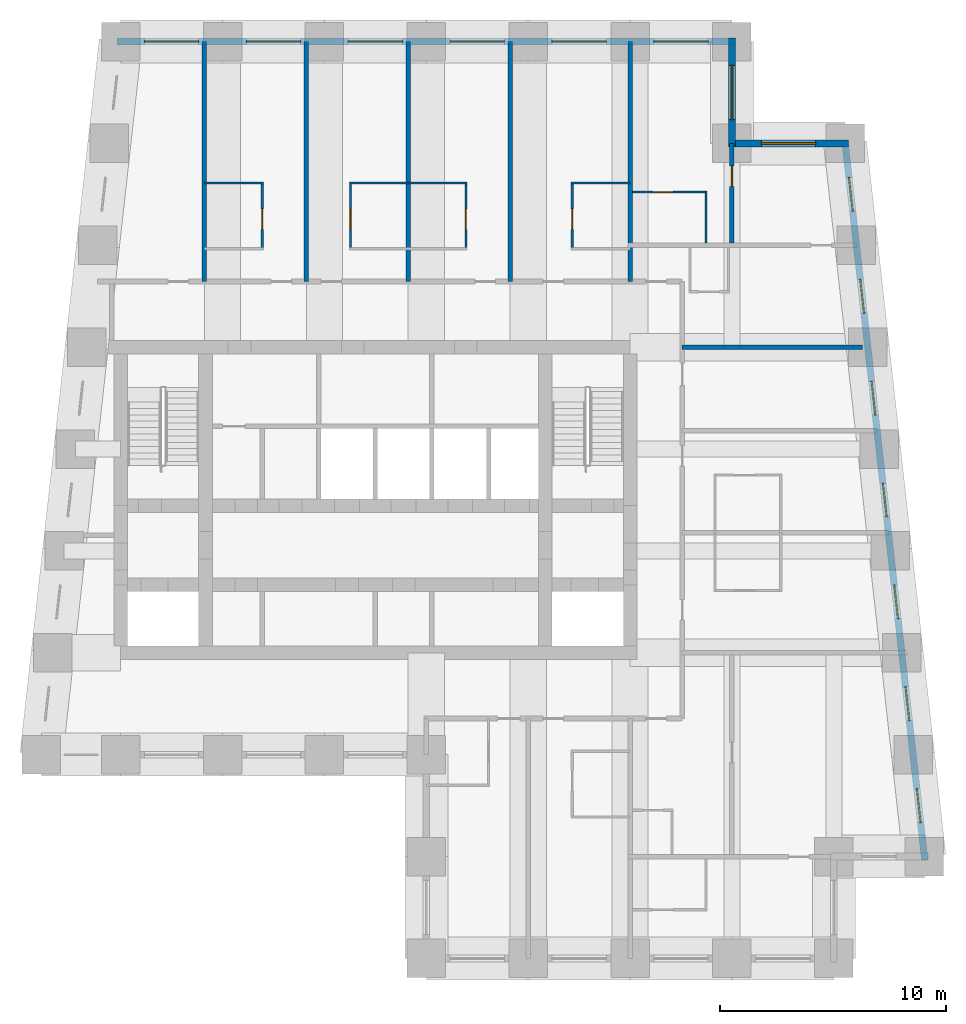
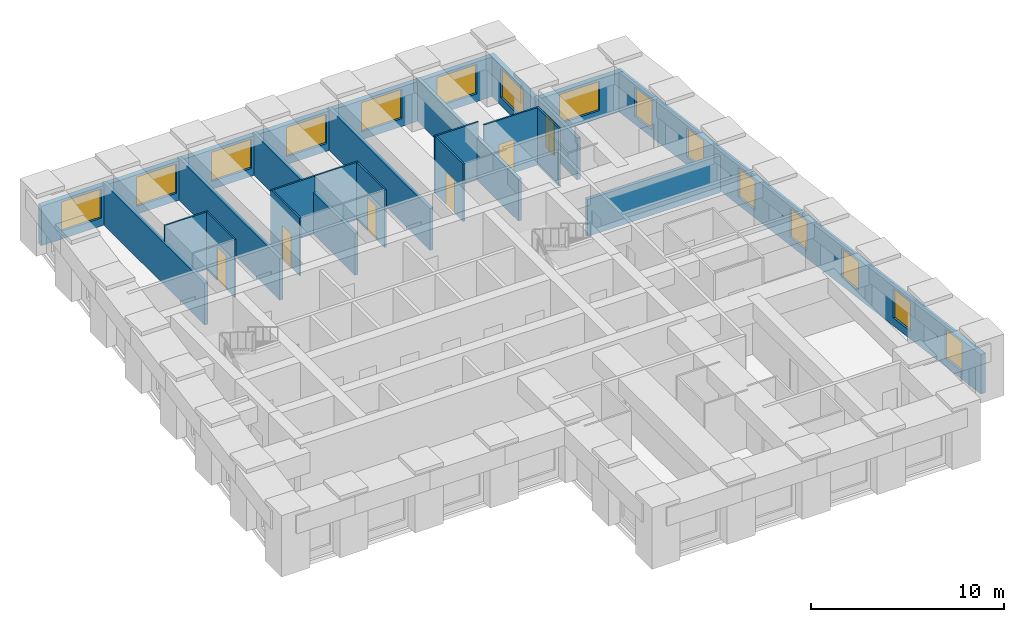
# One storey, part 5 of 7: 21 walls, 15 windows, 6 doors, 21 openings.
"""IFC4 building model written with IfcOpenShell, lengths in metres."""

from ifc_helpers import new_model, si_unit, direction, frame, frame_2d, origin, place, context, subcontext, project, spatial, rectangle, extrude, material, layer, layer_set, type_object, element, fill, save


model = new_model("IFC4")

# Units and contexts
model_context = context("Model", 3, precision=1e-05, world=origin(), true_north=direction((0.0, 1.0)))
body_context = subcontext(model_context, "Body", "Model", "MODEL_VIEW")
ifc_project = project(units=[si_unit("LENGTHUNIT", "METRE"), si_unit("AREAUNIT", "SQUARE_METRE"), si_unit("VOLUMEUNIT", "CUBIC_METRE"), si_unit("PLANEANGLEUNIT", "RADIAN"), si_unit("MASSUNIT", "GRAM", prefix="KILO")], contexts=[model_context])

# Site, building, storey
site_placement = place(None, origin())
site = spatial("IfcSite", under=ifc_project, at=site_placement, CompositionType="ELEMENT")
building_placement = place(site_placement, origin())
building = spatial("IfcBuilding", under=site, at=building_placement, Name="Kilele Tower Hotel", CompositionType="ELEMENT")
storey_placement = place(building_placement, frame((0.0, 0.0, 225.199951171875)))
storey = spatial("IfcBuildingStorey", under=building, at=storey_placement, Name="L58", CompositionType="ELEMENT", Elevation=225.199951171875)

# Wall
ifc_material_1 = material(Name="Moisture-resistant board")
ifc_layer_1 = layer(ifc_material_1, 0.10009765625)
ifc_layer_set_1 = layer_set([ifc_layer_1], Name="Moisture-resistant board")
wall_type_1 = type_object("IfcWallType", Name="Bathroom partition 100", PredefinedType="PLUMBINGWALL", material=ifc_layer_set_1)
wall_1_placement = place(storey_placement, frame((17.199951171875, 34.25, 0.0), z_axis=(0.0, 0.0, 1.0), x_axis=(1.0, 0.0, 0.0)))
element("IfcWall", 1, at=wall_1_placement, inside=storey, type_object=wall_type_1, Name="Bathroom partition 100 L58", PredefinedType="PLUMBINGWALL", context=body_context, shape_type="SweptSolid", body=[
    extrude(rectangle(XDim=2.60009765625, YDim=0.10009765625, at=frame_2d((1.300048828125, 0.0))), origin(), (0.0, 0.0, 1.0), 3.650146484375),
])

# Wall, opening, door
wall_2_placement = place(storey_placement, frame((19.75, 31.300048828125, 0.0), z_axis=(0.0, 0.0, 1.0), x_axis=(0.0, 1.0, 0.0)))
wall_2 = element("IfcWall", 2, at=wall_2_placement, inside=storey, type_object=wall_type_1, Name="Bathroom partition 100 L58", PredefinedType="PLUMBINGWALL", context=body_context, shape_type="SweptSolid", body=[
    extrude(rectangle(XDim=3.0, YDim=0.10009765625, at=frame_2d((1.5, 0.0))), origin(), (0.0, 0.0, 1.0), 3.650146484375),
])
opening_1_placement = place(wall_2_placement, frame((1.7998046875, 0.0, 0.0), z_axis=(0.0, 0.0, 1.0), x_axis=(-1.0, 0.0, 0.0)))
opening_1 = element("IfcOpeningElement", 3, at=opening_1_placement, cuts=wall_2, Name="Opening D2A", PredefinedType="OPENING", context=body_context, shape_type="SweptSolid", body=[
    extrude(rectangle(XDim=0.89990234375, YDim=2.10009765625, at=frame_2d((0.449951171875, 1.050048828125))), frame((0.0, 0.06005859375, 0.0), z_axis=(0.0, -1.0, 0.0), x_axis=(1.0, 0.0, 0.0)), (0.0, 0.0, 1.0), 0.1201171875),
])
ifc_material_2 = material(Name="Timber door leaf in hardwood frame", Category="wood")
door_type_1 = type_object("IfcDoorType", Name="Bathroom door 900", OperationType="SINGLE_SWING_LEFT", PredefinedType="DOOR", material=ifc_material_2)
door_1_placement = place(opening_1_placement, origin())
door_1 = element("IfcDoor", 4, at=door_1_placement, inside=storey, type_object=door_type_1, Name="Bathroom door 5808B", OperationType="SINGLE_SWING_RIGHT", OverallHeight=2.10009765625, OverallWidth=0.89990234375, PredefinedType="DOOR", context=body_context, shape_type="SweptSolid", body=[
    extrude(rectangle(XDim=0.89990234375, YDim=2.10009765625, at=frame_2d((0.449951171875, 1.050048828125))), frame((0.0, 0.02490234375, 0.0), z_axis=(0.0, -1.0, 0.0), x_axis=(1.0, 0.0, 0.0)), (0.0, 0.0, 1.0), 0.050048828125),
])
fill(opening_1, door_1)

# Wall
wall_3_placement = place(storey_placement, frame((23.60009765625, 34.25, 0.0), z_axis=(0.0, 0.0, 1.0), x_axis=(1.0, 0.0, 0.0)))
element("IfcWall", 5, at=wall_3_placement, inside=storey, type_object=wall_type_1, Name="Bathroom partition 100 L58", PredefinedType="PLUMBINGWALL", context=body_context, shape_type="SweptSolid", body=[
    extrude(rectangle(XDim=2.599853515625, YDim=0.10009765625, at=frame_2d((1.2998046875, 0.0))), origin(), (0.0, 0.0, 1.0), 3.650146484375),
])

# Wall, opening, door
wall_4_placement = place(storey_placement, frame((23.64990234375, 31.300048828125, 0.0), z_axis=(0.0, 0.0, 1.0), x_axis=(0.0, 1.0, 0.0)))
wall_4 = element("IfcWall", 6, at=wall_4_placement, inside=storey, type_object=wall_type_1, Name="Bathroom partition 100 L58", PredefinedType="PLUMBINGWALL", context=body_context, shape_type="SweptSolid", body=[
    extrude(rectangle(XDim=3.0, YDim=0.10009765625, at=frame_2d((1.5, 0.0))), origin(), (0.0, 0.0, 1.0), 3.650146484375),
])
opening_2_placement = place(wall_4_placement, frame((0.89990234375, 0.0, 0.0)))
opening_2 = element("IfcOpeningElement", 7, at=opening_2_placement, cuts=wall_4, Name="Opening D2A", PredefinedType="OPENING", context=body_context, shape_type="SweptSolid", body=[
    extrude(rectangle(XDim=0.89990234375, YDim=2.10009765625, at=frame_2d((0.449951171875, 1.050048828125))), frame((0.0, 0.06005859375, 0.0), z_axis=(0.0, -1.0, 0.0), x_axis=(1.0, 0.0, 0.0)), (0.0, 0.0, 1.0), 0.1201171875),
])
door_2_placement = place(opening_2_placement, origin())
door_2 = element("IfcDoor", 8, at=door_2_placement, inside=storey, type_object=door_type_1, Name="Bathroom door 5809B", OperationType="SINGLE_SWING_LEFT", OverallHeight=2.10009765625, OverallWidth=0.89990234375, PredefinedType="DOOR", context=body_context, shape_type="SweptSolid", body=[
    extrude(rectangle(XDim=0.89990234375, YDim=2.10009765625, at=frame_2d((0.449951171875, 1.050048828125))), frame((0.0, 0.02490234375, 0.0), z_axis=(0.0, -1.0, 0.0), x_axis=(1.0, 0.0, 0.0)), (0.0, 0.0, 1.0), 0.050048828125),
])
fill(opening_2, door_2)

# Wall
wall_5_placement = place(storey_placement, frame((26.199951171875, 34.25, 0.0), z_axis=(0.0, 0.0, 1.0), x_axis=(1.0, 0.0, 0.0)))
element("IfcWall", 9, at=wall_5_placement, inside=storey, type_object=wall_type_1, Name="Bathroom partition 100 L58", PredefinedType="PLUMBINGWALL", context=body_context, shape_type="SweptSolid", body=[
    extrude(rectangle(XDim=2.60009765625, YDim=0.10009765625, at=frame_2d((1.300048828125, 0.0))), origin(), (0.0, 0.0, 1.0), 3.650146484375),
])

# Wall, opening, door
wall_6_placement = place(storey_placement, frame((28.75, 31.300048828125, 0.0), z_axis=(0.0, 0.0, 1.0), x_axis=(0.0, 1.0, 0.0)))
wall_6 = element("IfcWall", 10, at=wall_6_placement, inside=storey, type_object=wall_type_1, Name="Bathroom partition 100 L58", PredefinedType="PLUMBINGWALL", context=body_context, shape_type="SweptSolid", body=[
    extrude(rectangle(XDim=3.0, YDim=0.10009765625, at=frame_2d((1.5, 0.0))), origin(), (0.0, 0.0, 1.0), 3.650146484375),
])
opening_3_placement = place(wall_6_placement, frame((1.7998046875, 0.0, 0.0), z_axis=(0.0, 0.0, 1.0), x_axis=(-1.0, 0.0, 0.0)))
opening_3 = element("IfcOpeningElement", 11, at=opening_3_placement, cuts=wall_6, Name="Opening D2A", PredefinedType="OPENING", context=body_context, shape_type="SweptSolid", body=[
    extrude(rectangle(XDim=0.89990234375, YDim=2.10009765625, at=frame_2d((0.449951171875, 1.050048828125))), frame((0.0, 0.06005859375, 0.0), z_axis=(0.0, -1.0, 0.0), x_axis=(1.0, 0.0, 0.0)), (0.0, 0.0, 1.0), 0.1201171875),
])
door_3_placement = place(opening_3_placement, origin())
door_3 = element("IfcDoor", 12, at=door_3_placement, inside=storey, type_object=door_type_1, Name="Bathroom door 5810B", OperationType="SINGLE_SWING_RIGHT", OverallHeight=2.10009765625, OverallWidth=0.89990234375, PredefinedType="DOOR", context=body_context, shape_type="SweptSolid", body=[
    extrude(rectangle(XDim=0.89990234375, YDim=2.10009765625, at=frame_2d((0.449951171875, 1.050048828125))), frame((0.0, 0.02490234375, 0.0), z_axis=(0.0, -1.0, 0.0), x_axis=(1.0, 0.0, 0.0)), (0.0, 0.0, 1.0), 0.050048828125),
])
fill(opening_3, door_3)

# Wall
wall_7_placement = place(storey_placement, frame((33.39990234375, 34.25, 0.0), z_axis=(0.0, 0.0, 1.0), x_axis=(1.0, 0.0, 0.0)))
element("IfcWall", 13, at=wall_7_placement, inside=storey, type_object=wall_type_1, Name="Bathroom partition 100 L58", PredefinedType="PLUMBINGWALL", context=body_context, shape_type="SweptSolid", body=[
    extrude(rectangle(XDim=2.60009765625, YDim=0.10009765625, at=frame_2d((1.300048828125, 0.0))), origin(), (0.0, 0.0, 1.0), 3.650146484375),
])

# Wall, opening, door
wall_8_placement = place(storey_placement, frame((33.449951171875, 31.300048828125, 0.0), z_axis=(0.0, 0.0, 1.0), x_axis=(0.0, 1.0, 0.0)))
wall_8 = element("IfcWall", 14, at=wall_8_placement, inside=storey, type_object=wall_type_1, Name="Bathroom partition 100 L58", PredefinedType="PLUMBINGWALL", context=body_context, shape_type="SweptSolid", body=[
    extrude(rectangle(XDim=3.0, YDim=0.10009765625, at=frame_2d((1.5, 0.0))), origin(), (0.0, 0.0, 1.0), 3.650146484375),
])
opening_4_placement = place(wall_8_placement, frame((0.89990234375, 0.0, 0.0)))
opening_4 = element("IfcOpeningElement", 15, at=opening_4_placement, cuts=wall_8, Name="Opening D2A", PredefinedType="OPENING", context=body_context, shape_type="SweptSolid", body=[
    extrude(rectangle(XDim=0.89990234375, YDim=2.10009765625, at=frame_2d((0.449951171875, 1.050048828125))), frame((0.0, 0.06005859375, 0.0), z_axis=(0.0, -1.0, 0.0), x_axis=(1.0, 0.0, 0.0)), (0.0, 0.0, 1.0), 0.1201171875),
])
door_4_placement = place(opening_4_placement, origin())
door_4 = element("IfcDoor", 16, at=door_4_placement, inside=storey, type_object=door_type_1, Name="Bathroom door 5811B", OperationType="SINGLE_SWING_LEFT", OverallHeight=2.10009765625, OverallWidth=0.89990234375, PredefinedType="DOOR", context=body_context, shape_type="SweptSolid", body=[
    extrude(rectangle(XDim=0.89990234375, YDim=2.10009765625, at=frame_2d((0.449951171875, 1.050048828125))), frame((0.0, 0.02490234375, 0.0), z_axis=(0.0, -1.0, 0.0), x_axis=(1.0, 0.0, 0.0)), (0.0, 0.0, 1.0), 0.050048828125),
])
fill(opening_4, door_4)

# Wall
wall_9_placement = place(storey_placement, frame((39.35009765625, 31.60009765625, 0.0), z_axis=(0.0, 0.0, 1.0), x_axis=(0.0, 1.0, 0.0)))
element("IfcWall", 17, at=wall_9_placement, inside=storey, type_object=wall_type_1, Name="Bathroom partition 100 L58", PredefinedType="PLUMBINGWALL", context=body_context, shape_type="SweptSolid", body=[
    extrude(rectangle(XDim=2.2998046875, YDim=0.10009765625, at=frame_2d((1.14990234375, 0.0))), origin(), (0.0, 0.0, 1.0), 3.650146484375),
])

# Wall, opening, door
wall_10_placement = place(storey_placement, frame((36.10009765625, 33.85009765625, 0.0), z_axis=(0.0, 0.0, 1.0), x_axis=(1.0, 0.0, 0.0)))
wall_10 = element("IfcWall", 18, at=wall_10_placement, inside=storey, type_object=wall_type_1, Name="Bathroom partition 100 L58", PredefinedType="PLUMBINGWALL", context=body_context, shape_type="SweptSolid", body=[
    extrude(rectangle(XDim=3.2998046875, YDim=0.10009765625, at=frame_2d((1.64990234375, 0.0))), origin(), (0.0, 0.0, 1.0), 3.650146484375),
])
opening_5_placement = place(wall_10_placement, frame((0.89990234375, 0.0, 0.0)))
opening_5 = element("IfcOpeningElement", 19, at=opening_5_placement, cuts=wall_10, Name="Opening D2A", PredefinedType="OPENING", context=body_context, shape_type="SweptSolid", body=[
    extrude(rectangle(XDim=0.89990234375, YDim=2.10009765625, at=frame_2d((0.449951171875, 1.050048828125))), frame((0.0, 0.06005859375, 0.0), z_axis=(0.0, -1.0, 0.0), x_axis=(1.0, 0.0, 0.0)), (0.0, 0.0, 1.0), 0.1201171875),
])
door_5_placement = place(opening_5_placement, origin())
door_5 = element("IfcDoor", 20, at=door_5_placement, inside=storey, type_object=door_type_1, Name="Bathroom door 5816B", OperationType="SINGLE_SWING_LEFT", OverallHeight=2.10009765625, OverallWidth=0.89990234375, PredefinedType="DOOR", context=body_context, shape_type="SweptSolid", body=[
    extrude(rectangle(XDim=0.89990234375, YDim=2.10009765625, at=frame_2d((0.449951171875, 1.050048828125))), frame((0.0, 0.02490234375, 0.0), z_axis=(0.0, -1.0, 0.0), x_axis=(1.0, 0.0, 0.0)), (0.0, 0.0, 1.0), 0.050048828125),
])
fill(opening_5, door_5)

ifc_material_3 = material(Name="Blockwork, plastered both sides", Category="masonry")
ifc_layer_2 = layer(ifc_material_3, 0.199951171875)
ifc_layer_set_2 = layer_set([ifc_layer_2], Name="Blockwork, plastered both sides")
wall_type_2 = type_object("IfcWallType", Name="Partition wall 200", PredefinedType="PARTITIONING", material=ifc_layer_set_2)
wall_11_placement = place(storey_placement, frame((40.5, 31.60009765625, 0.0), z_axis=(0.0, 0.0, 1.0), x_axis=(0.0, 1.0, 0.0)))
wall_11 = element("IfcWall", 21, at=wall_11_placement, inside=storey, type_object=wall_type_2, Name="Partition wall 200 L58", PredefinedType="PARTITIONING", context=body_context, shape_type="SweptSolid", body=[
    extrude(rectangle(XDim=4.39990234375, YDim=0.199951171875, at=frame_2d((2.199951171875, 0.0))), origin(), (0.0, 0.0, 1.0), 2.650146484375),
])
opening_6_placement = place(wall_11_placement, frame((2.5, 0.0, 0.0)))
opening_6 = element("IfcOpeningElement", 22, at=opening_6_placement, cuts=wall_11, Name="Opening D3", PredefinedType="OPENING", context=body_context, shape_type="SweptSolid", body=[
    extrude(rectangle(XDim=0.89990234375, YDim=2.10009765625, at=frame_2d((0.449951171875, 1.050048828125))), frame((0.0, 0.10986328125, 0.0), z_axis=(0.0, -1.0, 0.0), x_axis=(1.0, 0.0, 0.0)), (0.0, 0.0, 1.0), 0.219970703125),
])
ifc_material_4 = material(Name="Timber door leaf in hardwood frame", Category="wood")
door_type_2 = type_object("IfcDoorType", Name="Suite internal door 900", OperationType="SINGLE_SWING_LEFT", PredefinedType="DOOR", material=ifc_material_4)
door_6_placement = place(opening_6_placement, origin())
door_6 = element("IfcDoor", 23, at=door_6_placement, inside=storey, type_object=door_type_2, Name="Suite door 5817", OperationType="SINGLE_SWING_RIGHT", OverallHeight=2.10009765625, OverallWidth=0.89990234375, PredefinedType="DOOR", context=body_context, shape_type="SweptSolid", body=[
    extrude(rectangle(XDim=0.89990234375, YDim=2.10009765625, at=frame_2d((0.449951171875, 1.050048828125))), frame((0.0, 0.02490234375, 0.0), z_axis=(0.0, -1.0, 0.0), x_axis=(1.0, 0.0, 0.0)), (0.0, 0.0, 1.0), 0.050048828125),
])
fill(opening_6, door_6)

# Walls
ifc_material_5 = material(Name="Blockwork, plastered both sides", Category="masonry")
ifc_layer_3 = layer(ifc_material_5, 0.199951171875)
ifc_layer_set_3 = layer_set([ifc_layer_3], Name="Blockwork, plastered both sides")
wall_type_3 = type_object("IfcWallType", Name="Party wall 200", PredefinedType="PARTITIONING", material=ifc_layer_set_3)
for number, where, z_axis, x_axis, name in (
    (24, (17.199951171875, 29.89990234375, 0.0), (0.0, 0.0, 1.0), (0.0, 1.0, 0.0), "Party wall 200 L58"),
    (25, (21.699951171875, 29.89990234375, 0.0), (0.0, 0.0, 1.0), (0.0, 1.0, 0.0), "Party wall 200 L58"),
    (26, (26.199951171875, 29.89990234375, 0.0), (0.0, 0.0, 1.0), (0.0, 1.0, 0.0), "Party wall 200 L58"),
    (27, (30.699951171875, 29.89990234375, 0.0), (0.0, 0.0, 1.0), (0.0, 1.0, 0.0), "Party wall 200 L58"),
):
    element("IfcWall", number, at=place(storey_placement, frame(where, z_axis=z_axis, x_axis=x_axis)), inside=storey, type_object=wall_type_3, Name=name, PredefinedType="PARTITIONING", context=body_context, shape_type="SweptSolid", body=[
        extrude(rectangle(XDim=10.60009765625, YDim=0.199951171875, at=frame_2d((5.300048828125, 0.0))), origin(), (0.0, 0.0, 1.0), 2.650146484375),
    ])
wall_12_placement = place(storey_placement, frame((38.300048828125, 27.0, 0.0), z_axis=(0.0, 0.0, 1.0), x_axis=(1.0, 0.0, 0.0)))
element("IfcWall", 28, at=wall_12_placement, inside=storey, type_object=wall_type_3, Name="Party wall 200 L58", PredefinedType="PARTITIONING", context=body_context, shape_type="SweptSolid", body=[
    extrude(rectangle(XDim=7.976806640625, YDim=0.199951171875, at=frame_2d((3.98828125, 0.0))), origin(), (0.0, 0.0, 1.0), 2.35009765625),
])
wall_13_placement = place(storey_placement, frame((36.0, 29.89990234375, 0.0), z_axis=(0.0, 0.0, 1.0), x_axis=(0.0, 1.0, 0.0)))
element("IfcWall", 29, at=wall_13_placement, inside=storey, type_object=wall_type_3, Name="Party wall 200 L58", PredefinedType="PARTITIONING", context=body_context, shape_type="SweptSolid", body=[
    extrude(rectangle(XDim=10.60009765625, YDim=0.199951171875, at=frame_2d((5.300048828125, 0.0))), origin(), (0.0, 0.0, 1.0), 2.650146484375),
])

# Wall, openings, windows
ifc_material_6 = material(Name="Concrete C40/50 precast", Category="concrete")
ifc_layer_4 = layer(ifc_material_6, 0.260009765625, Name="Precast backing", Category="LoadBearing")
ifc_material_7 = material(Name="Reconstituted stone finish", Category="masonry")
ifc_layer_5 = layer(ifc_material_7, 0.0400390625, Name="Face mix", Category="Finish")
ifc_layer_set_4 = layer_set([ifc_layer_4, ifc_layer_5], Name="Precast concrete C40/50, reconstituted stone finish")
wall_type_4 = type_object("IfcWallType", Name="Precast stone facade wall 300", PredefinedType="STANDARD", material=ifc_layer_set_4)
wall_14_placement = place(storey_placement, frame((49.0166015625, 4.350830078125, 0.0), z_axis=(0.0, 0.0, 1.0), x_axis=(-0.110433201132, 0.993883548555, 0.0)))
wall_14 = element("IfcWall", 30, at=wall_14_placement, inside=storey, type_object=wall_type_4, Name="Facade wall L58 edge 6", PredefinedType="STANDARD", context=body_context, shape_type="SweptSolid", body=[
    extrude(rectangle(XDim=31.994140625, YDim=0.300048828125, at=frame_2d((15.9970703125, 0.0))), origin(), (0.0, 0.0, 1.0), 2.5),
])
opening_7_placement = place(wall_14_placement, frame((1.6640625, 0.0, 0.5)))
opening_7 = element("IfcOpeningElement", 31, at=opening_7_placement, cuts=wall_14, Name="Opening W4", PredefinedType="OPENING", context=body_context, shape_type="SweptSolid", body=[
    extrude(rectangle(XDim=1.5, YDim=1.85009765625, at=frame_2d((0.75, 0.925048828125))), frame((0.0, 0.159912109375, 0.0), z_axis=(0.0, -1.0, 0.0), x_axis=(1.0, 0.0, 0.0)), (0.0, 0.0, 1.0), 0.320068359375),
])
opening_8_placement = place(wall_14_placement, frame((6.19189453125, 0.0, 0.5)))
opening_8 = element("IfcOpeningElement", 32, at=opening_8_placement, cuts=wall_14, Name="Opening W4", PredefinedType="OPENING", context=body_context, shape_type="SweptSolid", body=[
    extrude(rectangle(XDim=1.5, YDim=1.85009765625, at=frame_2d((0.75, 0.925048828125))), frame((0.0, 0.159912109375, 0.0), z_axis=(0.0, -1.0, 0.0), x_axis=(1.0, 0.0, 0.0)), (0.0, 0.0, 1.0), 0.320068359375),
])
opening_9_placement = place(wall_14_placement, frame((10.718994140625, 0.0, 0.5)))
opening_9 = element("IfcOpeningElement", 33, at=opening_9_placement, cuts=wall_14, Name="Opening W4", PredefinedType="OPENING", context=body_context, shape_type="SweptSolid", body=[
    extrude(rectangle(XDim=1.5, YDim=1.85009765625, at=frame_2d((0.75, 0.925048828125))), frame((0.0, 0.159912109375, 0.0), z_axis=(0.0, -1.0, 0.0), x_axis=(1.0, 0.0, 0.0)), (0.0, 0.0, 1.0), 0.320068359375),
])
opening_10_placement = place(wall_14_placement, frame((15.2470703125, 0.0, 0.5)))
opening_10 = element("IfcOpeningElement", 34, at=opening_10_placement, cuts=wall_14, Name="Opening W4", PredefinedType="OPENING", context=body_context, shape_type="SweptSolid", body=[
    extrude(rectangle(XDim=1.5, YDim=1.85009765625, at=frame_2d((0.75, 0.925048828125))), frame((0.0, 0.159912109375, 0.0), z_axis=(0.0, -1.0, 0.0), x_axis=(1.0, 0.0, 0.0)), (0.0, 0.0, 1.0), 0.320068359375),
])
opening_11_placement = place(wall_14_placement, frame((19.77490234375, 0.0, 0.5)))
opening_11 = element("IfcOpeningElement", 35, at=opening_11_placement, cuts=wall_14, Name="Opening W4", PredefinedType="OPENING", context=body_context, shape_type="SweptSolid", body=[
    extrude(rectangle(XDim=1.5, YDim=1.85009765625, at=frame_2d((0.75, 0.925048828125))), frame((0.0, 0.159912109375, 0.0), z_axis=(0.0, -1.0, 0.0), x_axis=(1.0, 0.0, 0.0)), (0.0, 0.0, 1.0), 0.320068359375),
])
opening_12_placement = place(wall_14_placement, frame((24.302001953125, 0.0, 0.5)))
opening_12 = element("IfcOpeningElement", 36, at=opening_12_placement, cuts=wall_14, Name="Opening W4", PredefinedType="OPENING", context=body_context, shape_type="SweptSolid", body=[
    extrude(rectangle(XDim=1.5, YDim=1.85009765625, at=frame_2d((0.75, 0.925048828125))), frame((0.0, 0.159912109375, 0.0), z_axis=(0.0, -1.0, 0.0), x_axis=(1.0, 0.0, 0.0)), (0.0, 0.0, 1.0), 0.320068359375),
])
opening_13_placement = place(wall_14_placement, frame((28.830078125, 0.0, 0.5)))
opening_13 = element("IfcOpeningElement", 37, at=opening_13_placement, cuts=wall_14, Name="Opening W4", PredefinedType="OPENING", context=body_context, shape_type="SweptSolid", body=[
    extrude(rectangle(XDim=1.5, YDim=1.85009765625, at=frame_2d((0.75, 0.925048828125))), frame((0.0, 0.159912109375, 0.0), z_axis=(0.0, -1.0, 0.0), x_axis=(1.0, 0.0, 0.0)), (0.0, 0.0, 1.0), 0.320068359375),
])
ifc_material_8 = material(Name="Aluminium frame, clear double glazing", Category="aluminium")
window_type_1 = type_object("IfcWindowType", Name="Window W4 1500 x 1850", PartitioningType="SINGLE_PANEL", PredefinedType="WINDOW", material=ifc_material_8)
window_1_placement = place(opening_7_placement, origin())
window_1 = element("IfcWindow", 38, at=window_1_placement, inside=storey, type_object=window_type_1, Name="Window L58", OverallHeight=1.85009765625, OverallWidth=1.5, PartitioningType="SINGLE_PANEL", PredefinedType="WINDOW", context=body_context, shape_type="SweptSolid", body=[
    extrude(rectangle(XDim=1.5, YDim=1.85009765625, at=frame_2d((0.75, 0.925048828125))), frame((0.0, 0.030029296875, 0.0), z_axis=(0.0, -1.0, 0.0), x_axis=(1.0, 0.0, 0.0)), (0.0, 0.0, 1.0), 0.06005859375),
])
fill(opening_7, window_1)
window_2_placement = place(opening_8_placement, origin())
window_2 = element("IfcWindow", 39, at=window_2_placement, inside=storey, type_object=window_type_1, Name="Window L58", OverallHeight=1.85009765625, OverallWidth=1.5, PartitioningType="SINGLE_PANEL", PredefinedType="WINDOW", context=body_context, shape_type="SweptSolid", body=[
    extrude(rectangle(XDim=1.5, YDim=1.85009765625, at=frame_2d((0.75, 0.925048828125))), frame((0.0, 0.030029296875, 0.0), z_axis=(0.0, -1.0, 0.0), x_axis=(1.0, 0.0, 0.0)), (0.0, 0.0, 1.0), 0.06005859375),
])
fill(opening_8, window_2)
window_3_placement = place(opening_9_placement, origin())
window_3 = element("IfcWindow", 40, at=window_3_placement, inside=storey, type_object=window_type_1, Name="Window L58", OverallHeight=1.85009765625, OverallWidth=1.5, PartitioningType="SINGLE_PANEL", PredefinedType="WINDOW", context=body_context, shape_type="SweptSolid", body=[
    extrude(rectangle(XDim=1.5, YDim=1.85009765625, at=frame_2d((0.75, 0.925048828125))), frame((0.0, 0.030029296875, 0.0), z_axis=(0.0, -1.0, 0.0), x_axis=(1.0, 0.0, 0.0)), (0.0, 0.0, 1.0), 0.06005859375),
])
fill(opening_9, window_3)
window_4_placement = place(opening_10_placement, origin())
window_4 = element("IfcWindow", 41, at=window_4_placement, inside=storey, type_object=window_type_1, Name="Window L58", OverallHeight=1.85009765625, OverallWidth=1.5, PartitioningType="SINGLE_PANEL", PredefinedType="WINDOW", context=body_context, shape_type="SweptSolid", body=[
    extrude(rectangle(XDim=1.5, YDim=1.85009765625, at=frame_2d((0.75, 0.925048828125))), frame((0.0, 0.030029296875, 0.0), z_axis=(0.0, -1.0, 0.0), x_axis=(1.0, 0.0, 0.0)), (0.0, 0.0, 1.0), 0.06005859375),
])
fill(opening_10, window_4)
window_5_placement = place(opening_11_placement, origin())
window_5 = element("IfcWindow", 42, at=window_5_placement, inside=storey, type_object=window_type_1, Name="Window L58", OverallHeight=1.85009765625, OverallWidth=1.5, PartitioningType="SINGLE_PANEL", PredefinedType="WINDOW", context=body_context, shape_type="SweptSolid", body=[
    extrude(rectangle(XDim=1.5, YDim=1.85009765625, at=frame_2d((0.75, 0.925048828125))), frame((0.0, 0.030029296875, 0.0), z_axis=(0.0, -1.0, 0.0), x_axis=(1.0, 0.0, 0.0)), (0.0, 0.0, 1.0), 0.06005859375),
])
fill(opening_11, window_5)
window_6_placement = place(opening_12_placement, origin())
window_6 = element("IfcWindow", 43, at=window_6_placement, inside=storey, type_object=window_type_1, Name="Window L58", OverallHeight=1.85009765625, OverallWidth=1.5, PartitioningType="SINGLE_PANEL", PredefinedType="WINDOW", context=body_context, shape_type="SweptSolid", body=[
    extrude(rectangle(XDim=1.5, YDim=1.85009765625, at=frame_2d((0.75, 0.925048828125))), frame((0.0, 0.030029296875, 0.0), z_axis=(0.0, -1.0, 0.0), x_axis=(1.0, 0.0, 0.0)), (0.0, 0.0, 1.0), 0.06005859375),
])
fill(opening_12, window_6)
window_7_placement = place(opening_13_placement, origin())
window_7 = element("IfcWindow", 44, at=window_7_placement, inside=storey, type_object=window_type_1, Name="Window L58", OverallHeight=1.85009765625, OverallWidth=1.5, PartitioningType="SINGLE_PANEL", PredefinedType="WINDOW", context=body_context, shape_type="SweptSolid", body=[
    extrude(rectangle(XDim=1.5, YDim=1.85009765625, at=frame_2d((0.75, 0.925048828125))), frame((0.0, 0.030029296875, 0.0), z_axis=(0.0, -1.0, 0.0), x_axis=(1.0, 0.0, 0.0)), (0.0, 0.0, 1.0), 0.06005859375),
])
fill(opening_13, window_7)

# Wall, opening, window
wall_15_placement = place(storey_placement, frame((45.64990234375, 36.0, 0.0), z_axis=(0.0, 0.0, 1.0), x_axis=(-1.0, 0.0, 0.0)))
wall_15 = element("IfcWall", 45, at=wall_15_placement, inside=storey, type_object=wall_type_4, Name="Facade wall L58 edge 7", PredefinedType="STANDARD", context=body_context, shape_type="SweptSolid", body=[
    extrude(rectangle(XDim=5.2998046875, YDim=0.300048828125, at=frame_2d((2.64990234375, 0.0))), origin(), (0.0, 0.0, 1.0), 2.5),
])
opening_14_placement = place(wall_15_placement, frame((1.449951171875, 0.0, 0.5)))
opening_14 = element("IfcOpeningElement", 46, at=opening_14_placement, cuts=wall_15, Name="Opening W4", PredefinedType="OPENING", context=body_context, shape_type="SweptSolid", body=[
    extrude(rectangle(XDim=2.39990234375, YDim=1.85009765625, at=frame_2d((1.199951171875, 0.925048828125))), frame((0.0, 0.159912109375, 0.0), z_axis=(0.0, -1.0, 0.0), x_axis=(1.0, 0.0, 0.0)), (0.0, 0.0, 1.0), 0.320068359375),
])
ifc_material_9 = material(Name="Aluminium frame, clear double glazing", Category="aluminium")
window_type_2 = type_object("IfcWindowType", Name="Window W4 2400 x 1850", PartitioningType="SINGLE_PANEL", PredefinedType="WINDOW", material=ifc_material_9)
window_8_placement = place(opening_14_placement, origin())
window_8 = element("IfcWindow", 47, at=window_8_placement, inside=storey, type_object=window_type_2, Name="Window L58", OverallHeight=1.85009765625, OverallWidth=2.39990234375, PartitioningType="SINGLE_PANEL", PredefinedType="WINDOW", context=body_context, shape_type="SweptSolid", body=[
    extrude(rectangle(XDim=2.39990234375, YDim=1.85009765625, at=frame_2d((1.199951171875, 0.925048828125))), frame((0.0, 0.030029296875, 0.0), z_axis=(0.0, -1.0, 0.0), x_axis=(1.0, 0.0, 0.0)), (0.0, 0.0, 1.0), 0.06005859375),
])
fill(opening_14, window_8)

wall_16_placement = place(storey_placement, frame((40.5, 35.85009765625, 0.0), z_axis=(0.0, 0.0, 1.0), x_axis=(0.0, 1.0, 0.0)))
wall_16 = element("IfcWall", 48, at=wall_16_placement, inside=storey, type_object=wall_type_4, Name="Facade wall L58 edge 8", PredefinedType="STANDARD", context=body_context, shape_type="SweptSolid", body=[
    extrude(rectangle(XDim=4.7998046875, YDim=0.300048828125, at=frame_2d((2.39990234375, 0.0))), origin(), (0.0, 0.0, 1.0), 2.5),
])
opening_15_placement = place(wall_16_placement, frame((1.199951171875, 0.0, 0.5)))
opening_15 = element("IfcOpeningElement", 49, at=opening_15_placement, cuts=wall_16, Name="Opening W4", PredefinedType="OPENING", context=body_context, shape_type="SweptSolid", body=[
    extrude(rectangle(XDim=2.39990234375, YDim=1.85009765625, at=frame_2d((1.199951171875, 0.925048828125))), frame((0.0, 0.159912109375, 0.0), z_axis=(0.0, -1.0, 0.0), x_axis=(1.0, 0.0, 0.0)), (0.0, 0.0, 1.0), 0.320068359375),
])
window_9_placement = place(opening_15_placement, origin())
window_9 = element("IfcWindow", 50, at=window_9_placement, inside=storey, type_object=window_type_2, Name="Window L58", OverallHeight=1.85009765625, OverallWidth=2.39990234375, PartitioningType="SINGLE_PANEL", PredefinedType="WINDOW", context=body_context, shape_type="SweptSolid", body=[
    extrude(rectangle(XDim=2.39990234375, YDim=1.85009765625, at=frame_2d((1.199951171875, 0.925048828125))), frame((0.0, 0.030029296875, 0.0), z_axis=(0.0, -1.0, 0.0), x_axis=(1.0, 0.0, 0.0)), (0.0, 0.0, 1.0), 0.06005859375),
])
fill(opening_15, window_9)

# Wall, openings, windows
wall_17_placement = place(storey_placement, frame((40.64990234375, 40.5, 0.0), z_axis=(0.0, 0.0, 1.0), x_axis=(-1.0, 0.0, 0.0)))
wall_17 = element("IfcWall", 51, at=wall_17_placement, inside=storey, type_object=wall_type_4, Name="Facade wall L58 edge 9", PredefinedType="STANDARD", context=body_context, shape_type="SweptSolid", body=[
    extrude(rectangle(XDim=27.2998046875, YDim=0.300048828125, at=frame_2d((13.64990234375, 0.0))), origin(), (0.0, 0.0, 1.0), 2.5),
])
opening_16_placement = place(wall_17_placement, frame((1.199951171875, 0.0, 0.5)))
opening_16 = element("IfcOpeningElement", 52, at=opening_16_placement, cuts=wall_17, Name="Opening W4", PredefinedType="OPENING", context=body_context, shape_type="SweptSolid", body=[
    extrude(rectangle(XDim=2.39990234375, YDim=1.85009765625, at=frame_2d((1.199951171875, 0.925048828125))), frame((0.0, 0.159912109375, 0.0), z_axis=(0.0, -1.0, 0.0), x_axis=(1.0, 0.0, 0.0)), (0.0, 0.0, 1.0), 0.320068359375),
])
opening_17_placement = place(wall_17_placement, frame((5.699951171875, 0.0, 0.5)))
opening_17 = element("IfcOpeningElement", 53, at=opening_17_placement, cuts=wall_17, Name="Opening W4", PredefinedType="OPENING", context=body_context, shape_type="SweptSolid", body=[
    extrude(rectangle(XDim=2.39990234375, YDim=1.85009765625, at=frame_2d((1.199951171875, 0.925048828125))), frame((0.0, 0.159912109375, 0.0), z_axis=(0.0, -1.0, 0.0), x_axis=(1.0, 0.0, 0.0)), (0.0, 0.0, 1.0), 0.320068359375),
])
opening_18_placement = place(wall_17_placement, frame((10.199951171875, 0.0, 0.5)))
opening_18 = element("IfcOpeningElement", 54, at=opening_18_placement, cuts=wall_17, Name="Opening W4", PredefinedType="OPENING", context=body_context, shape_type="SweptSolid", body=[
    extrude(rectangle(XDim=2.39990234375, YDim=1.85009765625, at=frame_2d((1.199951171875, 0.925048828125))), frame((0.0, 0.159912109375, 0.0), z_axis=(0.0, -1.0, 0.0), x_axis=(1.0, 0.0, 0.0)), (0.0, 0.0, 1.0), 0.320068359375),
])
opening_19_placement = place(wall_17_placement, frame((14.699951171875, 0.0, 0.5)))
opening_19 = element("IfcOpeningElement", 55, at=opening_19_placement, cuts=wall_17, Name="Opening W4", PredefinedType="OPENING", context=body_context, shape_type="SweptSolid", body=[
    extrude(rectangle(XDim=2.39990234375, YDim=1.85009765625, at=frame_2d((1.199951171875, 0.925048828125))), frame((0.0, 0.159912109375, 0.0), z_axis=(0.0, -1.0, 0.0), x_axis=(1.0, 0.0, 0.0)), (0.0, 0.0, 1.0), 0.320068359375),
])
opening_20_placement = place(wall_17_placement, frame((19.199951171875, 0.0, 0.5)))
opening_20 = element("IfcOpeningElement", 56, at=opening_20_placement, cuts=wall_17, Name="Opening W4", PredefinedType="OPENING", context=body_context, shape_type="SweptSolid", body=[
    extrude(rectangle(XDim=2.39990234375, YDim=1.85009765625, at=frame_2d((1.199951171875, 0.925048828125))), frame((0.0, 0.159912109375, 0.0), z_axis=(0.0, -1.0, 0.0), x_axis=(1.0, 0.0, 0.0)), (0.0, 0.0, 1.0), 0.320068359375),
])
opening_21_placement = place(wall_17_placement, frame((23.699951171875, 0.0, 0.5)))
opening_21 = element("IfcOpeningElement", 57, at=opening_21_placement, cuts=wall_17, Name="Opening W4", PredefinedType="OPENING", context=body_context, shape_type="SweptSolid", body=[
    extrude(rectangle(XDim=2.39990234375, YDim=1.85009765625, at=frame_2d((1.199951171875, 0.925048828125))), frame((0.0, 0.159912109375, 0.0), z_axis=(0.0, -1.0, 0.0), x_axis=(1.0, 0.0, 0.0)), (0.0, 0.0, 1.0), 0.320068359375),
])
window_10_placement = place(opening_16_placement, origin())
window_10 = element("IfcWindow", 58, at=window_10_placement, inside=storey, type_object=window_type_2, Name="Window L58", OverallHeight=1.85009765625, OverallWidth=2.39990234375, PartitioningType="SINGLE_PANEL", PredefinedType="WINDOW", context=body_context, shape_type="SweptSolid", body=[
    extrude(rectangle(XDim=2.39990234375, YDim=1.85009765625, at=frame_2d((1.199951171875, 0.925048828125))), frame((0.0, 0.030029296875, 0.0), z_axis=(0.0, -1.0, 0.0), x_axis=(1.0, 0.0, 0.0)), (0.0, 0.0, 1.0), 0.06005859375),
])
fill(opening_16, window_10)
window_11_placement = place(opening_17_placement, origin())
window_11 = element("IfcWindow", 59, at=window_11_placement, inside=storey, type_object=window_type_2, Name="Window L58", OverallHeight=1.85009765625, OverallWidth=2.39990234375, PartitioningType="SINGLE_PANEL", PredefinedType="WINDOW", context=body_context, shape_type="SweptSolid", body=[
    extrude(rectangle(XDim=2.39990234375, YDim=1.85009765625, at=frame_2d((1.199951171875, 0.925048828125))), frame((0.0, 0.030029296875, 0.0), z_axis=(0.0, -1.0, 0.0), x_axis=(1.0, 0.0, 0.0)), (0.0, 0.0, 1.0), 0.06005859375),
])
fill(opening_17, window_11)
window_12_placement = place(opening_18_placement, origin())
window_12 = element("IfcWindow", 60, at=window_12_placement, inside=storey, type_object=window_type_2, Name="Window L58", OverallHeight=1.85009765625, OverallWidth=2.39990234375, PartitioningType="SINGLE_PANEL", PredefinedType="WINDOW", context=body_context, shape_type="SweptSolid", body=[
    extrude(rectangle(XDim=2.39990234375, YDim=1.85009765625, at=frame_2d((1.199951171875, 0.925048828125))), frame((0.0, 0.030029296875, 0.0), z_axis=(0.0, -1.0, 0.0), x_axis=(1.0, 0.0, 0.0)), (0.0, 0.0, 1.0), 0.06005859375),
])
fill(opening_18, window_12)
window_13_placement = place(opening_19_placement, origin())
window_13 = element("IfcWindow", 61, at=window_13_placement, inside=storey, type_object=window_type_2, Name="Window L58", OverallHeight=1.85009765625, OverallWidth=2.39990234375, PartitioningType="SINGLE_PANEL", PredefinedType="WINDOW", context=body_context, shape_type="SweptSolid", body=[
    extrude(rectangle(XDim=2.39990234375, YDim=1.85009765625, at=frame_2d((1.199951171875, 0.925048828125))), frame((0.0, 0.030029296875, 0.0), z_axis=(0.0, -1.0, 0.0), x_axis=(1.0, 0.0, 0.0)), (0.0, 0.0, 1.0), 0.06005859375),
])
fill(opening_19, window_13)
window_14_placement = place(opening_20_placement, origin())
window_14 = element("IfcWindow", 62, at=window_14_placement, inside=storey, type_object=window_type_2, Name="Window L58", OverallHeight=1.85009765625, OverallWidth=2.39990234375, PartitioningType="SINGLE_PANEL", PredefinedType="WINDOW", context=body_context, shape_type="SweptSolid", body=[
    extrude(rectangle(XDim=2.39990234375, YDim=1.85009765625, at=frame_2d((1.199951171875, 0.925048828125))), frame((0.0, 0.030029296875, 0.0), z_axis=(0.0, -1.0, 0.0), x_axis=(1.0, 0.0, 0.0)), (0.0, 0.0, 1.0), 0.06005859375),
])
fill(opening_20, window_14)
window_15_placement = place(opening_21_placement, origin())
window_15 = element("IfcWindow", 63, at=window_15_placement, inside=storey, type_object=window_type_2, Name="Window L58", OverallHeight=1.85009765625, OverallWidth=2.39990234375, PartitioningType="SINGLE_PANEL", PredefinedType="WINDOW", context=body_context, shape_type="SweptSolid", body=[
    extrude(rectangle(XDim=2.39990234375, YDim=1.85009765625, at=frame_2d((1.199951171875, 0.925048828125))), frame((0.0, 0.030029296875, 0.0), z_axis=(0.0, -1.0, 0.0), x_axis=(1.0, 0.0, 0.0)), (0.0, 0.0, 1.0), 0.06005859375),
])
fill(opening_21, window_15)

save(model, "model.ifc")
